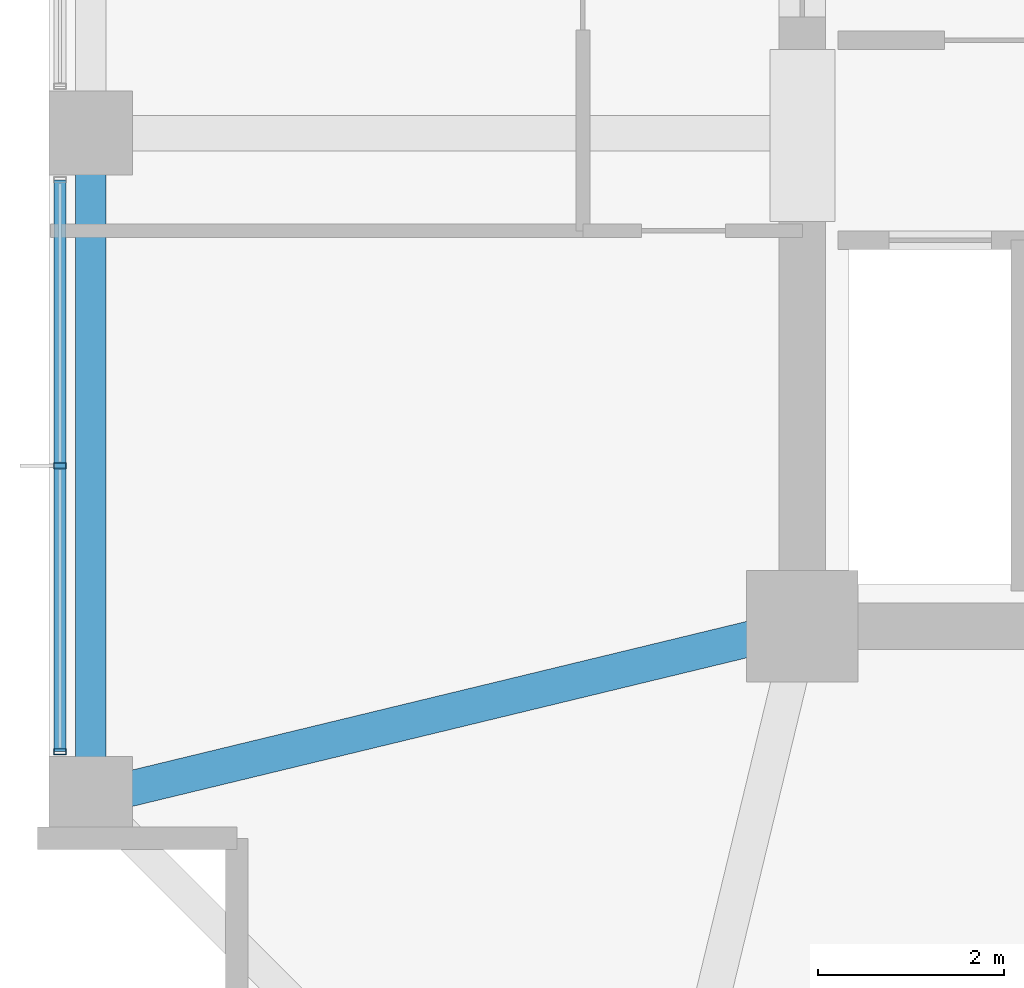
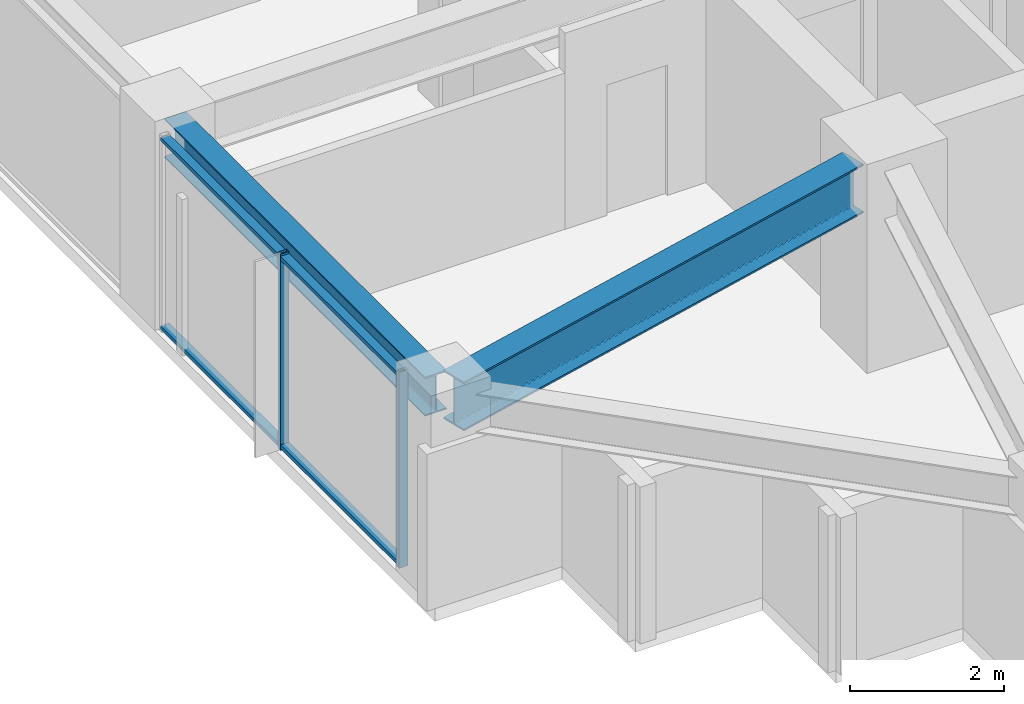
# One storey, part 5 of 31: 4 members, 2 beams, 1 element without a shape of its own.
"""IFC4 building model written with IfcOpenShell, lengths in metres."""

from ifc_helpers import new_model, si_unit, direction, frame, origin, origin_2d, place, context, subcontext, project, spatial, hollow_rectangle, i_section, extrude, material, material_profile, profile_set, type_object, element, aggregate, save


model = new_model("IFC4")

# Units and contexts
model_context = context("Model", 3, precision=1e-05, world=origin(), true_north=direction((0.0, 1.0)))
body_context = subcontext(model_context, "Body", "Model", "MODEL_VIEW")
ifc_project = project(units=[si_unit("LENGTHUNIT", "METRE"), si_unit("AREAUNIT", "SQUARE_METRE"), si_unit("VOLUMEUNIT", "CUBIC_METRE"), si_unit("PLANEANGLEUNIT", "RADIAN"), si_unit("MASSUNIT", "GRAM", prefix="KILO")], contexts=[model_context])

# Site, building, storey
site_placement = place(None, origin())
site = spatial("IfcSite", under=ifc_project, at=site_placement, CompositionType="ELEMENT")
building_placement = place(site_placement, origin())
building = spatial("IfcBuilding", under=site, at=building_placement, Name="Kolvaren Belvedere", CompositionType="ELEMENT")
storey_placement = place(building_placement, frame((0.0, 0.0, 138.199951171875)))
storey = spatial("IfcBuildingStorey", under=building, at=storey_placement, Name="L40", CompositionType="ELEMENT", Elevation=138.199951171875)

# Beams
ifc_material_1 = material(Name="Structural steel ASTM A992 Grade 50", Category="steel")
ifc_material_profile_1 = material_profile(ifc_material_1, i_section(OverallWidth=0.381103515625, OverallDepth=0.77294921875, WebThickness=0.0166015625, FlangeThickness=0.027099609375, FilletRadius=0.02392578125, at=origin_2d()), Name="W30X173")
ifc_profile_set_1 = profile_set([ifc_material_profile_1], Name="Structural steel ASTM A992 Grade 50")
beam_type_1 = type_object("IfcBeamType", Name="BM-GIRD-W30X173", PredefinedType="BEAM", material=ifc_profile_set_1)
beam_1_placement = place(storey_placement, frame((-10.4345703125, -10.029296875, 2.713623046875), z_axis=(-0.971980197119, -0.235062749937, 0.0), x_axis=(0.235062749937, -0.971980197119, 0.0)))
element("IfcBeam", 1, at=beam_1_placement, inside=storey, type_object=beam_type_1, Name="L40 Corner Core-to-Perimeter Girder CC1-W1", PredefinedType="BEAM", context=body_context, shape_type="SweptSolid", body=[
    extrude(i_section(OverallWidth=0.381103515625, OverallDepth=0.77294921875, WebThickness=0.0166015625, FlangeThickness=0.027099609375, FilletRadius=0.02392578125, at=origin_2d()), origin(), (0.0, 0.0, 1.0), 7.140625),
])
ifc_material_2 = material(Name="Structural steel ASTM A992 Grade 50", Category="steel")
ifc_material_profile_2 = material_profile(ifc_material_2, i_section(OverallWidth=0.324951171875, OverallDepth=0.615966796875, WebThickness=0.013916015625, FlangeThickness=0.021484375, FilletRadius=0.02001953125, at=origin_2d()), Name="W24X117")
ifc_profile_set_2 = profile_set([ifc_material_profile_2], Name="Structural steel ASTM A992 Grade 50")
beam_type_2 = type_object("IfcBeamType", Name="BM-SPAN-W24X117", PredefinedType="SPANDREL", material=ifc_profile_set_2)
beam_2_placement = place(storey_placement, frame((-17.550048828125, -4.802490234375, 2.7919921875), z_axis=(0.0, -1.0, 0.0), x_axis=(1.0, 0.0, 0.0)))
element("IfcBeam", 2, at=beam_2_placement, inside=storey, type_object=beam_type_2, Name="L40 Perimeter Spandrel W2-W1", PredefinedType="SPANDREL", context=body_context, shape_type="SweptSolid", body=[
    extrude(i_section(OverallWidth=0.324951171875, OverallDepth=0.615966796875, WebThickness=0.013916015625, FlangeThickness=0.021484375, FilletRadius=0.02001953125, at=origin_2d()), origin(), (0.0, 0.0, 1.0), 6.7451171875),
])

# Curtain wall, members
ifc_material_3 = material(Name="Anodised pale-metal aluminium AA 6063-T6", Category="aluminium")
curtain_wall_type = type_object("IfcCurtainWallType", Name="CW-Z3-WAIST", PredefinedType="NOTDEFINED", material=ifc_material_3)
curtain_wall_placement = place(storey_placement, origin())
curtain_wall = element("IfcCurtainWall", 3, at=curtain_wall_placement, inside=storey, type_object=curtain_wall_type, Name="L40 Unitised Curtain Wall FCW-L40-W-B1", PredefinedType="NOTDEFINED")
ifc_material_4 = material(Name="Anodised pale-metal aluminium AA 6063-T6", Category="aluminium")
ifc_material_profile_3 = material_profile(ifc_material_4, hollow_rectangle(XDim=0.06494140625, YDim=0.1298828125, WallThickness=0.00390625, at=origin_2d()), Name="ALU-MUL-130X65")
ifc_profile_set_3 = profile_set([ifc_material_profile_3], Name="Anodised pale-metal aluminium AA 6063-T6")
member_type_1 = type_object("IfcMemberType", Name="CW-MUL-130", PredefinedType="MULLION", material=ifc_profile_set_3)
member_1_placement = place(storey_placement, frame((-17.8798828125, -11.24755859375, 0.0), z_axis=(0.0, 0.0, 1.0), x_axis=(0.0, 1.0, 0.0)))
member_1 = element("IfcMember", 4, at=member_1_placement, type_object=member_type_1, Name="FCW-L40-W-B1 Unitised Mullion 1", PredefinedType="MULLION", context=body_context, shape_type="SweptSolid", body=[
    extrude(hollow_rectangle(XDim=0.06494140625, YDim=0.1298828125, WallThickness=0.00390625, at=origin_2d()), origin(), (0.0, 0.0, 1.0), 3.10009765625),
])
member_2_placement = place(storey_placement, frame((-17.8798828125, -8.175048828125, 0.0), z_axis=(0.0, 0.0, 1.0), x_axis=(0.0, 1.0, 0.0)))
member_2 = element("IfcMember", 5, at=member_2_placement, type_object=member_type_1, Name="FCW-L40-W-B1 Unitised Mullion 2", PredefinedType="MULLION", context=body_context, shape_type="SweptSolid", body=[
    extrude(hollow_rectangle(XDim=0.06494140625, YDim=0.1298828125, WallThickness=0.00390625, at=origin_2d()), origin(), (0.0, 0.0, 1.0), 3.10009765625),
])
ifc_material_5 = material(Name="Anodised pale-metal aluminium AA 6063-T6", Category="aluminium")
ifc_material_profile_4 = material_profile(ifc_material_5, hollow_rectangle(XDim=0.06005859375, YDim=0.1298828125, WallThickness=0.00390625, at=origin_2d()), Name="ALU-TRN-130X60")
ifc_profile_set_4 = profile_set([ifc_material_profile_4], Name="Anodised pale-metal aluminium AA 6063-T6")
member_type_2 = type_object("IfcMemberType", Name="CW-TRN-130", PredefinedType="USERDEFINED", material=ifc_profile_set_4)
member_3_placement = place(storey_placement, frame((-17.8798828125, -11.24755859375, 0.06005859375), z_axis=(0.0, 1.0, 0.0), x_axis=(0.0, 0.0, 1.0)))
member_3 = element("IfcMember", 6, at=member_3_placement, type_object=member_type_2, Name="FCW-L40-W-B1 Sill Transom", ObjectType="TRANSOM", PredefinedType="USERDEFINED", context=body_context, shape_type="SweptSolid", body=[
    extrude(hollow_rectangle(XDim=0.06005859375, YDim=0.1298828125, WallThickness=0.00390625, at=origin_2d()), origin(), (0.0, 0.0, 1.0), 6.14501953125),
])
member_4_placement = place(storey_placement, frame((-17.8798828125, -11.24755859375, 3.0400390625), z_axis=(0.0, 1.0, 0.0), x_axis=(0.0, 0.0, 1.0)))
member_4 = element("IfcMember", 7, at=member_4_placement, type_object=member_type_2, Name="FCW-L40-W-B1 Head Transom", ObjectType="TRANSOM", PredefinedType="USERDEFINED", context=body_context, shape_type="SweptSolid", body=[
    extrude(hollow_rectangle(XDim=0.06005859375, YDim=0.1298828125, WallThickness=0.00390625, at=origin_2d()), origin(), (0.0, 0.0, 1.0), 6.14501953125),
])
aggregate(curtain_wall, [member_1, member_2, member_3, member_4])

save(model, "model.ifc")
